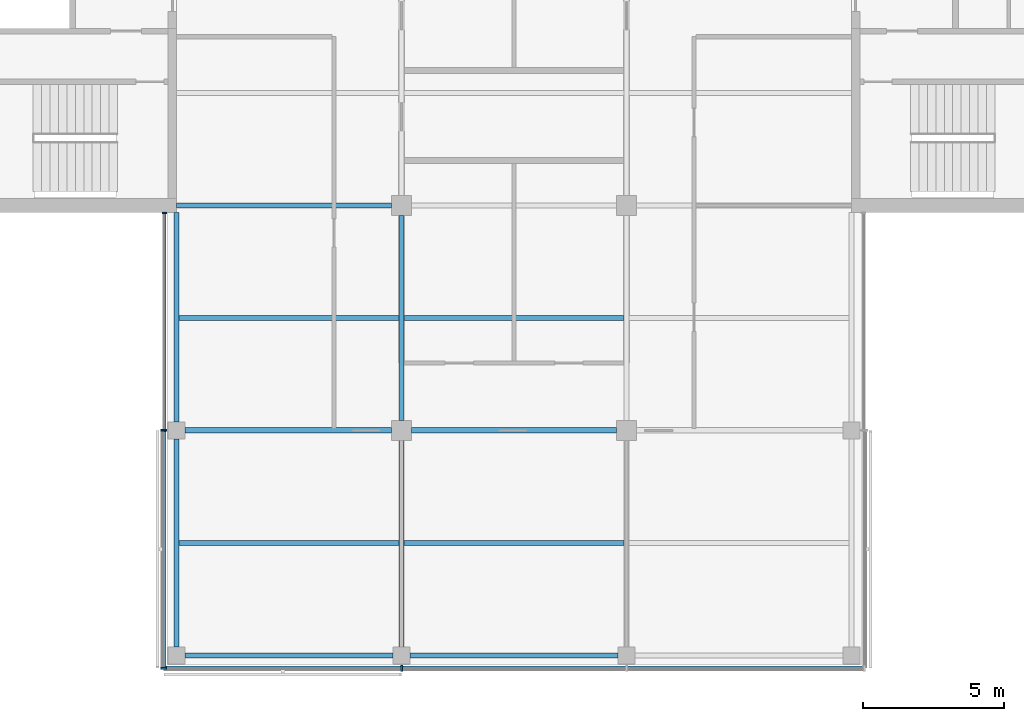
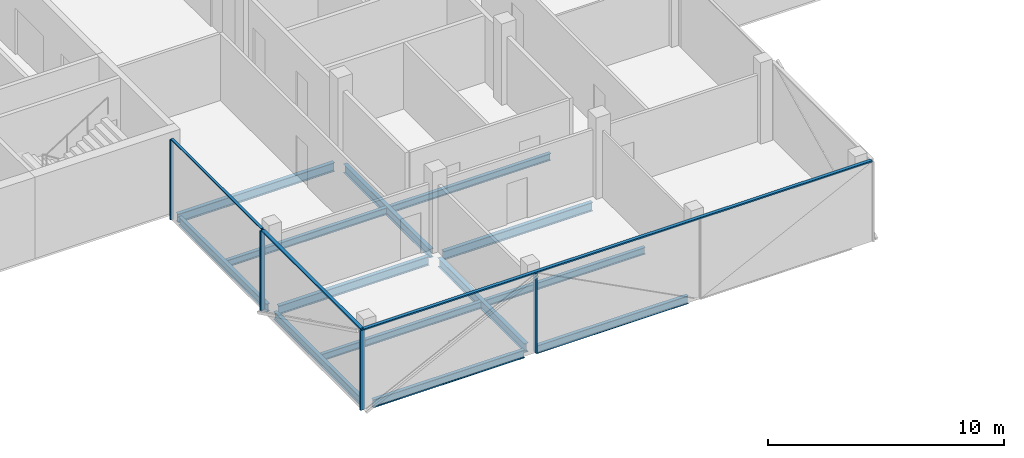
# One storey, part 2 of 16: 13 beams, 8 members, 3 elements without a shape of their own.
"""IFC4 building model written with IfcOpenShell, lengths in metres."""

from ifc_helpers import new_model, si_unit, direction, frame, origin, origin_2d, place, context, subcontext, project, spatial, rectangle, i_section, extrude, material, material_profile, profile_set, type_object, element, aggregate, save


model = new_model("IFC4")

# Units and contexts
model_context = context("Model", 3, precision=1e-05, world=origin(), true_north=direction((0.0, 1.0)))
body_context = subcontext(model_context, "Body", "Model", "MODEL_VIEW")
ifc_project = project(units=[si_unit("LENGTHUNIT", "METRE"), si_unit("AREAUNIT", "SQUARE_METRE"), si_unit("VOLUMEUNIT", "CUBIC_METRE"), si_unit("PLANEANGLEUNIT", "RADIAN"), si_unit("MASSUNIT", "GRAM", prefix="KILO")], contexts=[model_context])

# Site, building, storey
site_placement = place(None, origin())
site = spatial("IfcSite", under=ifc_project, at=site_placement, CompositionType="ELEMENT")
building_placement = place(site_placement, origin())
building = spatial("IfcBuilding", under=site, at=building_placement, Name="Crosswind Convention Tower", CompositionType="ELEMENT")
storey_placement = place(building_placement, frame((0.0, 0.0, 249.300048828125)))
storey = spatial("IfcBuildingStorey", under=building, at=storey_placement, Name="L53", CompositionType="ELEMENT", Elevation=249.300048828125)

# Beams
ifc_material_1 = material(Name="Steel S355", Category="steel")
ifc_material_profile_1 = material_profile(ifc_material_1, i_section(OverallWidth=0.177734375, OverallDepth=0.406494140625, WebThickness=0.0078125, FlangeThickness=0.0126953125, FilletRadius=0.01025390625, at=origin_2d()), Name="UB 406x178x60")
ifc_profile_set_1 = profile_set([ifc_material_profile_1], Name="Steel S355")
beam_type_1 = type_object("IfcBeamType", Name="Edge beam UB 406x178x60", PredefinedType="SPANDREL", material=ifc_profile_set_1)
beam_1_placement = place(storey_placement, frame((113.0, 72.300048828125, -0.503173828125), z_axis=(0.0, 1.0, 0.0), x_axis=(-1.0, 0.0, 0.0)))
element("IfcBeam", 1, at=beam_1_placement, inside=storey, type_object=beam_type_1, Name="B15 L53 edge beam 1", PredefinedType="SPANDREL", context=body_context, shape_type="SweptSolid", body=[
    extrude(i_section(OverallWidth=0.177734375, OverallDepth=0.406494140625, WebThickness=0.0078125, FlangeThickness=0.0126953125, FilletRadius=0.01025390625, at=origin_2d()), origin(), (0.0, 0.0, 1.0), 7.39990234375),
])
beam_2_placement = place(storey_placement, frame((113.0, 80.300048828125, -0.503173828125), z_axis=(0.0, 1.0, 0.0), x_axis=(-1.0, 0.0, 0.0)))
element("IfcBeam", 2, at=beam_2_placement, inside=storey, type_object=beam_type_1, Name="B15 L53 edge beam 2", PredefinedType="SPANDREL", context=body_context, shape_type="SweptSolid", body=[
    extrude(i_section(OverallWidth=0.177734375, OverallDepth=0.406494140625, WebThickness=0.0078125, FlangeThickness=0.0126953125, FilletRadius=0.01025390625, at=origin_2d()), origin(), (0.0, 0.0, 1.0), 7.449951171875),
])
for number, where, z_axis, x_axis, name in (
    (3, (113.300048828125, 72.0, -0.503173828125), (1.0, 0.0, 0.0), (0.0, 1.0, 0.0), "B15 L53 edge beam 5"),
    (4, (121.300048828125, 72.0, -0.503173828125), (1.0, 0.0, 0.0), (0.0, 1.0, 0.0), "B15 L53 edge beam 7"),
):
    element("IfcBeam", number, at=place(storey_placement, frame(where, z_axis=z_axis, x_axis=x_axis)), inside=storey, type_object=beam_type_1, Name=name, PredefinedType="SPANDREL", context=body_context, shape_type="SweptSolid", body=[
        extrude(i_section(OverallWidth=0.177734375, OverallDepth=0.406494140625, WebThickness=0.0078125, FlangeThickness=0.0126953125, FilletRadius=0.01025390625, at=origin_2d()), origin(), (0.0, 0.0, 1.0), 7.39990234375),
    ])
ifc_material_profile_2 = material_profile(ifc_material_1, i_section(OverallWidth=0.18994140625, OverallDepth=0.45361328125, WebThickness=0.008544921875, FlangeThickness=0.0126953125, FilletRadius=0.01025390625, at=origin_2d()), Name="UB 457x191x67")
ifc_profile_set_2 = profile_set([ifc_material_profile_2], Name="Steel S355")
beam_type_2 = type_object("IfcBeamType", Name="Girder UB 457x191x67", PredefinedType="BEAM", material=ifc_profile_set_2)
for number, where, z_axis, x_axis, name in (
    (5, (113.300048828125, 80.0, -0.52685546875), (1.0, 0.0, 0.0), (0.0, 1.0, 0.0), "B1 L53 girder 1"),
    (6, (121.0, 72.300048828125, -0.52685546875), (0.0, 1.0, 0.0), (-1.0, 0.0, 0.0), "B1 L53 girder 3"),
):
    element("IfcBeam", number, at=place(storey_placement, frame(where, z_axis=z_axis, x_axis=x_axis)), inside=storey, type_object=beam_type_2, Name=name, PredefinedType="BEAM", context=body_context, shape_type="SweptSolid", body=[
        extrude(i_section(OverallWidth=0.18994140625, OverallDepth=0.45361328125, WebThickness=0.008544921875, FlangeThickness=0.0126953125, FilletRadius=0.01025390625, at=origin_2d()), origin(), (0.0, 0.0, 1.0), 7.349853515625),
    ])
for number, where, z_axis, x_axis, name in (
    (7, (121.0, 80.35009765625, -0.52685546875), (0.0, 1.0, 0.0), (-1.0, 0.0, 0.0), "B1 L53 girder 4"),
    (8, (121.35009765625, 80.0, -0.52685546875), (1.0, 0.0, 0.0), (0.0, 1.0, 0.0), "B1 L53 girder 10"),
):
    element("IfcBeam", number, at=place(storey_placement, frame(where, z_axis=z_axis, x_axis=x_axis)), inside=storey, type_object=beam_type_2, Name=name, PredefinedType="BEAM", context=body_context, shape_type="SweptSolid", body=[
        extrude(i_section(OverallWidth=0.18994140625, OverallDepth=0.45361328125, WebThickness=0.008544921875, FlangeThickness=0.0126953125, FilletRadius=0.01025390625, at=origin_2d()), origin(), (0.0, 0.0, 1.0), 7.2998046875),
    ])
ifc_material_profile_3 = material_profile(ifc_material_1, i_section(OverallWidth=0.1904296875, OverallDepth=0.457275390625, WebThickness=0.009033203125, FlangeThickness=0.014404296875, FilletRadius=0.01025390625, at=origin_2d()), Name="UB 457x191x75")
ifc_profile_set_3 = profile_set([ifc_material_profile_3], Name="Steel S355")
beam_type_3 = type_object("IfcBeamType", Name="Girder at core wall UB 457x191x75", PredefinedType="BEAM", material=ifc_profile_set_3)
beam_3_placement = place(storey_placement, frame((113.0, 88.0, -0.528564453125), z_axis=(1.0, 0.0, 0.0), x_axis=(0.0, 1.0, 0.0)))
element("IfcBeam", 9, at=beam_3_placement, inside=storey, type_object=beam_type_3, Name="B22 L53 girder at core wall 1", PredefinedType="BEAM", context=body_context, shape_type="SweptSolid", body=[
    extrude(i_section(OverallWidth=0.1904296875, OverallDepth=0.457275390625, WebThickness=0.009033203125, FlangeThickness=0.014404296875, FilletRadius=0.01025390625, at=origin_2d()), origin(), (0.0, 0.0, 1.0), 7.64990234375),
])

# Curtain wall, members
ifc_material_2 = material(Name="Aluminium unitised curtain wall", Category="aluminium")
curtain_wall_type_1 = type_object("IfcCurtainWallType", Name="CORE END SLOT WALL 160", PredefinedType="USERDEFINED", material=ifc_material_2)
curtain_wall_1_placement = place(storey_placement, origin())
curtain_wall_1 = element("IfcCurtainWall", 10, at=curtain_wall_1_placement, inside=storey, type_object=curtain_wall_type_1, Name="CW6 L53 S-W.1-1 slot", ObjectType="UNITISED", PredefinedType="USERDEFINED")
ifc_material_3 = material(Name="Aluminium mullion", Category="aluminium")
ifc_material_profile_4 = material_profile(ifc_material_3, rectangle(XDim=0.159912109375, YDim=0.050048828125, at=origin_2d()), Name="AL 160X50")
ifc_profile_set_4 = profile_set([ifc_material_profile_4], Name="Aluminium mullion")
member_type_1 = type_object("IfcMemberType", Name="MULLION 50X160", PredefinedType="MULLION", material=ifc_profile_set_4)
member_1_placement = place(storey_placement, frame((112.570068359375, 87.72509765625, -0.300048828125), z_axis=(0.0, 0.0, 1.0), x_axis=(-1.0, 0.0, 0.0)))
member_1 = element("IfcMember", 11, at=member_1_placement, type_object=member_type_1, Name="CW6 mullion 1", PredefinedType="MULLION", context=body_context, shape_type="SweptSolid", body=[
    extrude(rectangle(XDim=0.159912109375, YDim=0.050048828125, at=origin_2d()), origin(), (0.0, 0.0, 1.0), 4.14990234375),
])
member_2_placement = place(storey_placement, frame((112.570068359375, 80.02490234375, -0.300048828125), z_axis=(0.0, 0.0, 1.0), x_axis=(-1.0, 0.0, 0.0)))
member_2 = element("IfcMember", 12, at=member_2_placement, type_object=member_type_1, Name="CW6 mullion 2", PredefinedType="MULLION", context=body_context, shape_type="SweptSolid", body=[
    extrude(rectangle(XDim=0.159912109375, YDim=0.050048828125, at=origin_2d()), origin(), (0.0, 0.0, 1.0), 4.14990234375),
])

curtain_wall_type_2 = type_object("IfcCurtainWallType", Name="OFFICE UNITISED WALL 220", PredefinedType="USERDEFINED", material=ifc_material_2)
curtain_wall_2_placement = place(storey_placement, origin())
curtain_wall_2 = element("IfcCurtainWall", 13, at=curtain_wall_2_placement, inside=storey, type_object=curtain_wall_type_2, Name="CW3 L53 S-W 1", ObjectType="UNITISED", PredefinedType="USERDEFINED")
ifc_material_profile_5 = material_profile(ifc_material_3, rectangle(XDim=0.219970703125, YDim=0.070068359375, at=origin_2d()), Name="AL 220X70")
ifc_profile_set_5 = profile_set([ifc_material_profile_5], Name="Aluminium mullion")
member_type_2 = type_object("IfcMemberType", Name="MULLION 70X220", PredefinedType="MULLION", material=ifc_profile_set_5)
member_3_placement = place(storey_placement, frame((112.5400390625, 80.0, -0.300048828125), z_axis=(0.0, 0.0, 1.0), x_axis=(-1.0, 0.0, 0.0)))
member_3 = element("IfcMember", 14, at=member_3_placement, type_object=member_type_2, Name="CW3 mullion 1", PredefinedType="MULLION", context=body_context, shape_type="SweptSolid", body=[
    extrude(rectangle(XDim=0.219970703125, YDim=0.070068359375, at=origin_2d()), origin(), (0.0, 0.0, 1.0), 4.1298828125),
])
member_4_placement = place(storey_placement, frame((112.5400390625, 71.5400390625, -0.300048828125), z_axis=(0.0, 0.0, 1.0), x_axis=(-1.0, 0.0, 0.0)))
member_4 = element("IfcMember", 15, at=member_4_placement, type_object=member_type_2, Name="CW3 mullion 2", PredefinedType="MULLION", context=body_context, shape_type="SweptSolid", body=[
    extrude(rectangle(XDim=0.219970703125, YDim=0.070068359375, at=origin_2d()), origin(), (0.0, 0.0, 1.0), 4.1298828125),
])

# Curtain wall, member
curtain_wall_3_placement = place(storey_placement, origin())
curtain_wall_3 = element("IfcCurtainWall", 16, at=curtain_wall_3_placement, inside=storey, type_object=curtain_wall_type_2, Name="CW3 L53 S-TIP 1", ObjectType="UNITISED", PredefinedType="USERDEFINED")
member_5_placement = place(storey_placement, frame((121.0, 71.5400390625, -0.300048828125), z_axis=(0.0, 0.0, 1.0), x_axis=(0.0, -1.0, 0.0)))
member_5 = element("IfcMember", 17, at=member_5_placement, type_object=member_type_2, Name="CW3 mullion 2", PredefinedType="MULLION", context=body_context, shape_type="SweptSolid", body=[
    extrude(rectangle(XDim=0.219970703125, YDim=0.070068359375, at=origin_2d()), origin(), (0.0, 0.0, 1.0), 4.1298828125),
])

# Beams
ifc_material_profile_6 = material_profile(ifc_material_1, i_section(OverallWidth=0.17138671875, OverallDepth=0.355712890625, WebThickness=0.00732421875, FlangeThickness=0.011474609375, FilletRadius=0.01025390625, at=origin_2d()), Name="UB 356x171x51")
ifc_profile_set_6 = profile_set([ifc_material_profile_6], Name="Steel S355")
beam_type_4 = type_object("IfcBeamType", Name="Secondary beam UB 356x171x51", PredefinedType="JOIST", material=ifc_profile_set_6)
for number, where, z_axis, x_axis, name in (
    (18, (113.0888671875, 76.0, -0.477783203125), (1.0, 0.0, 0.0), (0.0, 1.0, 0.0), "B8 L53 secondary beam 4"),
    (19, (113.0888671875, 84.0, -0.477783203125), (1.0, 0.0, 0.0), (0.0, 1.0, 0.0), "B8 L53 secondary beam 5"),
):
    element("IfcBeam", number, at=place(storey_placement, frame(where, z_axis=z_axis, x_axis=x_axis)), inside=storey, type_object=beam_type_4, Name=name, PredefinedType="JOIST", context=body_context, shape_type="SweptSolid", body=[
        extrude(i_section(OverallWidth=0.17138671875, OverallDepth=0.355712890625, WebThickness=0.00732421875, FlangeThickness=0.011474609375, FilletRadius=0.01025390625, at=origin_2d()), origin(), (0.0, 0.0, 1.0), 7.816162109375),
    ])
for number, where, z_axis, x_axis, name in (
    (20, (121.094970703125, 76.0, -0.477783203125), (1.0, 0.0, 0.0), (0.0, 1.0, 0.0), "B8 L53 secondary beam 8"),
    (21, (121.094970703125, 84.0, -0.477783203125), (1.0, 0.0, 0.0), (0.0, 1.0, 0.0), "B8 L53 secondary beam 9"),
):
    element("IfcBeam", number, at=place(storey_placement, frame(where, z_axis=z_axis, x_axis=x_axis)), inside=storey, type_object=beam_type_4, Name=name, PredefinedType="JOIST", context=body_context, shape_type="SweptSolid", body=[
        extrude(i_section(OverallWidth=0.17138671875, OverallDepth=0.355712890625, WebThickness=0.00732421875, FlangeThickness=0.011474609375, FilletRadius=0.01025390625, at=origin_2d()), origin(), (0.0, 0.0, 1.0), 7.81005859375),
    ])

# Member
ifc_material_4 = material(Name="Aluminium transom", Category="aluminium")
ifc_material_profile_7 = material_profile(ifc_material_4, rectangle(XDim=0.1201171875, YDim=0.050048828125, at=origin_2d()), Name="AL 120X50")
ifc_profile_set_7 = profile_set([ifc_material_profile_7], Name="Aluminium transom")
member_type_3 = type_object("IfcMemberType", Name="TRANSOM 50X120", PredefinedType="USERDEFINED", material=ifc_profile_set_7)
member_6_placement = place(storey_placement, frame((112.570068359375, 87.699951171875, 3.875), z_axis=(0.0, -1.0, 0.0), x_axis=(1.0, 0.0, 0.0)))
member_6 = element("IfcMember", 22, at=member_6_placement, type_object=member_type_3, Name="CW6 transom", ObjectType="TRANSOM", PredefinedType="USERDEFINED", context=body_context, shape_type="SweptSolid", body=[
    extrude(rectangle(XDim=0.1201171875, YDim=0.050048828125, at=origin_2d()), origin(), (0.0, 0.0, 1.0), 7.64990234375),
])

aggregate(curtain_wall_1, [member_1, member_2, member_6])

ifc_material_profile_8 = material_profile(ifc_material_4, rectangle(XDim=0.159912109375, YDim=0.070068359375, at=origin_2d()), Name="AL 160X70")
ifc_profile_set_8 = profile_set([ifc_material_profile_8], Name="Aluminium transom")
member_type_4 = type_object("IfcMemberType", Name="TRANSOM 70X160", PredefinedType="USERDEFINED", material=ifc_profile_set_8)
member_7_placement = place(storey_placement, frame((112.5400390625, 79.965087890625, 3.864990234375), z_axis=(0.0, -1.0, 0.0), x_axis=(1.0, 0.0, 0.0)))
member_7 = element("IfcMember", 23, at=member_7_placement, type_object=member_type_4, Name="CW3 transom", ObjectType="TRANSOM", PredefinedType="USERDEFINED", context=body_context, shape_type="SweptSolid", body=[
    extrude(rectangle(XDim=0.159912109375, YDim=0.070068359375, at=origin_2d()), origin(), (0.0, 0.0, 1.0), 8.39013671875),
])

aggregate(curtain_wall_2, [member_3, member_4, member_7])

member_8_placement = place(storey_placement, frame((112.574951171875, 71.5400390625, 3.864990234375), z_axis=(1.0, 0.0, 0.0), x_axis=(0.0, 1.0, 0.0)))
member_8 = element("IfcMember", 24, at=member_8_placement, type_object=member_type_4, Name="CW3 transom", ObjectType="TRANSOM", PredefinedType="USERDEFINED", context=body_context, shape_type="SweptSolid", body=[
    extrude(rectangle(XDim=0.159912109375, YDim=0.070068359375, at=origin_2d()), origin(), (0.0, 0.0, 1.0), 24.85009765625),
])

aggregate(curtain_wall_3, [member_5, member_8])

save(model, "model.ifc")
